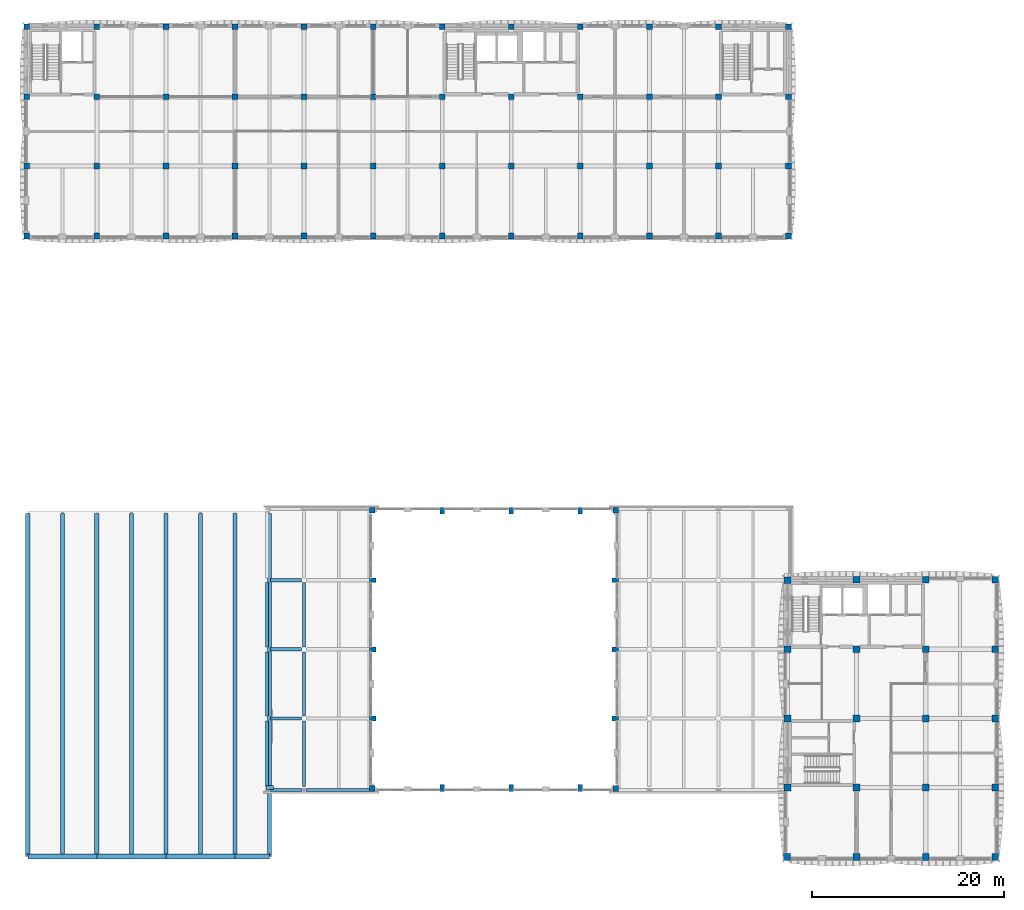
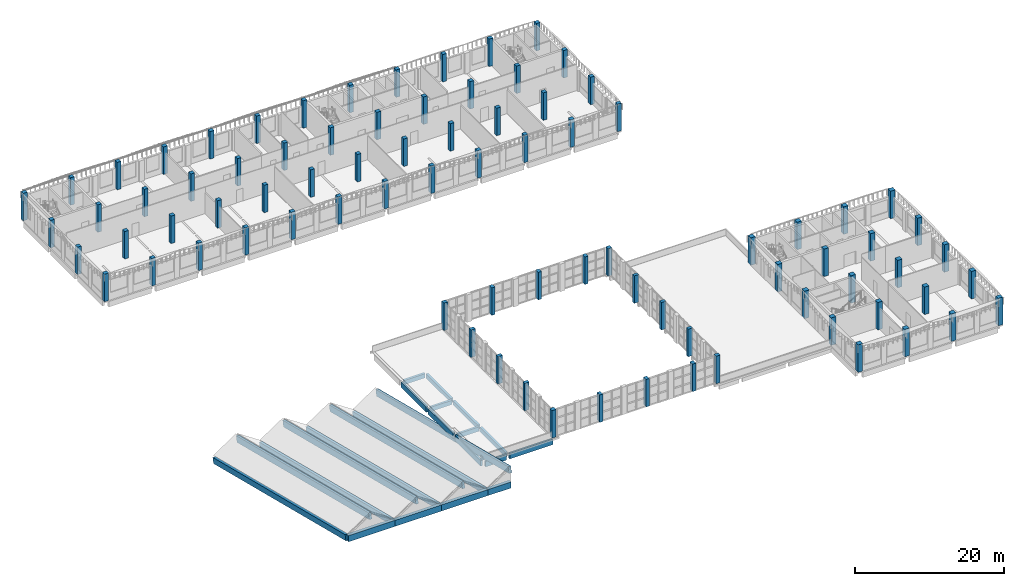
# One storey, part 1 of 44: 85 columns, 23 beams.
"""IFC4 building model written with IfcOpenShell, lengths in metres."""

import ifcopenshell
import ifcopenshell.guid

model = None  # the IFC model being written
_history = None  # IfcOwnerHistory: only IFC2X3 demands one
_inside = {}  # id of a spatial element -> (the spatial element, [elements in it])
_under = {}  # id of a project, library or spatial element -> (it, [spatial elements below it])
_declared = {}  # id of a project -> (the project, [libraries it declares])
_typed = {}  # id of a type object -> (the type object, [elements of that type])
_made_of = {}  # id of a material, layer set ... -> (it, [elements and type objects made of it])


def new_model(schema):
    """Start an empty IFC model of exactly this schema.

    Asked for "IFC4X3", IfcOpenShell would pick the latest addendum, in which some entities
    have other attributes; the version numbers below select the first issue.
    IFC2X3 requires an IfcOwnerHistory on every rooted entity: one is made here for all.
    """
    global model, _history
    if schema == "IFC4X3":
        model = ifcopenshell.file(schema_version=(4, 3, 0, 0))
    else:
        model = ifcopenshell.file(schema=schema)
    _inside.clear()
    _under.clear()
    _declared.clear()
    _typed.clear()
    _made_of.clear()
    _history = None
    if model.schema == "IFC2X3":
        org = make("IfcOrganization", Name="unknown")
        user = make(
            "IfcPersonAndOrganization",
            ThePerson=make("IfcPerson", FamilyName="unknown"),
            TheOrganization=org,
        )
        app = make(
            "IfcApplication",
            ApplicationDeveloper=org,
            Version="unknown",
            ApplicationFullName="unknown",
            ApplicationIdentifier="unknown",
        )
        _history = make(
            "IfcOwnerHistory",
            OwningUser=user,
            OwningApplication=app,
            ChangeAction="ADDED",
            CreationDate=0,
        )
    return model


def make(cls, **values):
    """One entity of the class cls with the attributes given. An attribute that is None is left unset."""
    return model.create_entity(
        cls, **{name: value for name, value in values.items() if value is not None}
    )


def rooted(cls, **values):
    """An entity with a GlobalId (a new one), such as an element, a storey or a relation."""
    return make(cls, GlobalId=ifcopenshell.guid.new(), OwnerHistory=_history, **values)


def si_unit(unit_type, name, prefix=None):
    """IfcSIUnit, for example si_unit("LENGTHUNIT", "METRE", prefix="MILLI")."""
    return make("IfcSIUnit", UnitType=unit_type, Prefix=prefix, Name=name)


def assignment(units):
    """IfcUnitAssignment: the units of a project."""
    return None if units is None else make("IfcUnitAssignment", Units=units)


def point(xyz):
    """IfcCartesianPoint."""
    return None if xyz is None else make("IfcCartesianPoint", Coordinates=xyz)


def direction(xyz):
    """IfcDirection."""
    return None if xyz is None else make("IfcDirection", DirectionRatios=xyz)


def frame(location, z_axis=None, x_axis=None):
    """IfcAxis2Placement3D, a coordinate frame: its origin and axes. An axis left out is left unset."""
    return make(
        "IfcAxis2Placement3D",
        Location=point(location),
        Axis=direction(z_axis),
        RefDirection=direction(x_axis),
    )


def frame_2d(location, x_axis=None):
    """IfcAxis2Placement2D, a coordinate frame in the plane: its origin and x axis."""
    return make(
        "IfcAxis2Placement2D", Location=point(location), RefDirection=direction(x_axis)
    )


def origin():
    """The frame at (0, 0, 0) with its axes left unset."""
    return frame((0.0, 0.0, 0.0))


def origin_2d():
    """The frame at (0, 0) in the plane with its x axis left unset."""
    return frame_2d((0.0, 0.0))


def place(relative_to, where):
    """IfcLocalPlacement: puts the frame where relative to a parent placement (None: the world)."""
    return make(
        "IfcLocalPlacement", PlacementRelTo=relative_to, RelativePlacement=where
    )


def context(
    kind, dimensions, precision=None, world=None, true_north=None, identifier=None
):
    """IfcGeometricRepresentationContext, for example the 3D "Model" context."""
    return make(
        "IfcGeometricRepresentationContext",
        ContextIdentifier=identifier,
        ContextType=kind,
        CoordinateSpaceDimension=dimensions,
        Precision=precision,
        WorldCoordinateSystem=world,
        TrueNorth=true_north,
    )


def subcontext(parent, identifier, kind, view, scale=None):
    """IfcGeometricRepresentationSubContext, for example "Body" below "Model"."""
    return make(
        "IfcGeometricRepresentationSubContext",
        ContextIdentifier=identifier,
        ContextType=kind,
        ParentContext=parent,
        TargetScale=scale,
        TargetView=view,
    )


def project(units=None, contexts=None):
    """IfcProject with its units and contexts."""
    return rooted(
        "IfcProject",
        Name="project",
        RepresentationContexts=contexts,
        UnitsInContext=assignment(units),
    )


def spatial(cls, under=None, at=None, **own):
    """A site, building, storey or space (cls), placed at a placement, below another one or the project."""
    s = rooted(cls, ObjectPlacement=at, **own)
    if under is not None:
        _under.setdefault(under.id(), (under, []))[1].append(s)
    return s


def profile(cls, at=None, kind="AREA", **sizes):
    """A parametric profile (cls). Its sizes go by their IFC names, for example OverallWidth=200.0."""
    return make(cls, ProfileType=kind, Position=at, **sizes)


def rectangle(**sizes):
    """IfcRectangleProfileDef."""
    return profile("IfcRectangleProfileDef", **sizes)


def extrude(swept, where, along, depth):
    """IfcExtrudedAreaSolid: the profile swept, set in the frame where, extruded along a direction by depth."""
    return make(
        "IfcExtrudedAreaSolid",
        SweptArea=swept,
        Position=where,
        ExtrudedDirection=direction(along),
        Depth=depth,
    )


def shape(context_of_items, identifier, shape_type, items):
    """IfcShapeRepresentation: the items that make up one representation, for example the "Body"."""
    return make(
        "IfcShapeRepresentation",
        ContextOfItems=context_of_items,
        RepresentationIdentifier=identifier,
        RepresentationType=shape_type,
        Items=items,
    )


def material(Name=None, Category=None):
    """IfcMaterial."""
    return make("IfcMaterial", Name=Name, Category=Category)


def material_profile(
    of_material, cross_section, Name=None, Category=None, Priority=None
):
    """IfcMaterialProfile: a cross section and its material."""
    return make(
        "IfcMaterialProfile",
        Name=Name,
        Material=of_material,
        Profile=cross_section,
        Priority=Priority,
        Category=Category,
    )


def profile_set(profiles, Name=None, composite=None):
    """IfcMaterialProfileSet."""
    return make(
        "IfcMaterialProfileSet",
        Name=Name,
        MaterialProfiles=profiles,
        CompositeProfile=composite,
    )


def made_of(thing, what):
    """Note that an element or type object is made of a material, layer set ...; save() writes the relation."""
    if what is not None:
        _made_of.setdefault(what.id(), (what, []))[1].append(thing)
    return thing


def type_object(cls, material=None, **own):
    """A type object (cls), such as IfcWallType, which elements share."""
    return made_of(rooted(cls, **own), material)


def element(
    cls,
    number,
    at=None,
    inside=None,
    cuts=None,
    type_object=None,
    material=None,
    context=None,
    identifier="Body",
    shape_type=None,
    held_by="IfcProductDefinitionShape",
    body=None,
    shapes=None,
    **own,
):
    """One element of the class cls, such as IfcWall. Its Tag is "e" and its number.

    at: its placement. inside: the storey or other place that contains it. cuts: it is an
    opening in that element (IfcRelVoidsElement). A single representation is given by context,
    identifier, shape_type and body (its items); several are given by shapes. held_by: the class
    of the entity that holds the representations. save() writes the other relations.
    """
    e = rooted(cls, Tag="e%d" % number, ObjectPlacement=at, **own)
    if body is not None:
        shapes = [shape(context, identifier, shape_type, body)]
    if shapes is not None:
        e.Representation = make(held_by, Representations=shapes)
    if inside is not None:
        _inside.setdefault(inside.id(), (inside, []))[1].append(e)
    if cuts is not None:
        rooted(
            "IfcRelVoidsElement", RelatingBuildingElement=cuts, RelatedOpeningElement=e
        )
    if type_object is not None:
        _typed.setdefault(type_object.id(), (type_object, []))[1].append(e)
    return made_of(e, material)


def aggregate(whole, parts):
    """IfcRelAggregates: a whole, such as a stair, and the parts it consists of."""
    return rooted("IfcRelAggregates", RelatingObject=whole, RelatedObjects=parts)


def save(model, path):
    """Write the relations noted so far, then the file.

    IfcRelAggregates (storeys below a building ...), IfcRelContainedInSpatialStructure (elements
    in a storey), IfcRelDefinesByType, IfcRelAssociatesMaterial and IfcRelDeclares: one each for
    every whole, place, type object, material and project.
    """
    for whole, parts in _under.values():
        aggregate(whole, parts)
    for where, things in _inside.values():
        rooted(
            "IfcRelContainedInSpatialStructure",
            RelatedElements=things,
            RelatingStructure=where,
        )
    for kind, things in _typed.values():
        rooted("IfcRelDefinesByType", RelatedObjects=things, RelatingType=kind)
    for what, things in _made_of.values():
        rooted("IfcRelAssociatesMaterial", RelatedObjects=things, RelatingMaterial=what)
    for by, libraries in _declared.values():
        rooted("IfcRelDeclares", RelatingContext=by, RelatedDefinitions=libraries)
    model.write(path)


model = new_model("IFC4")

# Units and contexts
model_context = context("Model", 3, precision=1e-05, world=origin(), true_north=direction((0.0, 1.0)))
body_context = subcontext(model_context, "Body", "Model", "MODEL_VIEW")
ifc_project = project(units=[si_unit("LENGTHUNIT", "METRE"), si_unit("AREAUNIT", "SQUARE_METRE"), si_unit("VOLUMEUNIT", "CUBIC_METRE"), si_unit("PLANEANGLEUNIT", "RADIAN"), si_unit("MASSUNIT", "GRAM", prefix="KILO")], contexts=[model_context])

# Site, building, storey
site_placement = place(None, origin())
site = spatial("IfcSite", under=ifc_project, at=site_placement, CompositionType="ELEMENT")
building_placement = place(site_placement, origin())
building = spatial("IfcBuilding", under=site, at=building_placement, Name="Ussher Court Research Institute", CompositionType="ELEMENT")
storey_placement = place(building_placement, frame((0.0, 0.0, 18.89990234375)))
storey = spatial("IfcBuildingStorey", under=building, at=storey_placement, Name="L04", CompositionType="ELEMENT", Elevation=18.89990234375)

# Columns
ifc_material_1 = material(Name="Concrete C35/45", Category="concrete")
ifc_material_profile_1 = material_profile(ifc_material_1, rectangle(XDim=0.5, YDim=0.699951171875, at=origin_2d()), Name="RC 500x700")
ifc_profile_set_1 = profile_set([ifc_material_profile_1], Name="Concrete C35/45")
column_type_1 = type_object("IfcColumnType", Name="RC 500x700 column", PredefinedType="COLUMN", material=ifc_profile_set_1)
for number, where, z_axis, x_axis, name in (
    (1, (46.199951171875, 11.14990234375, 0.0), (0.0, 0.0, 1.0), (1.0, 0.0, 0.0), "CF2 V2 L04-01"),
    (2, (46.199951171875, 40.050048828125, 0.0), (0.0, 0.0, 1.0), (1.0, 0.0, 0.0), "CF2 V2 L04-02"),
    (3, (53.39990234375, 11.14990234375, 0.0), (0.0, 0.0, 1.0), (1.0, 0.0, 0.0), "CF2 V2 L04-03"),
    (4, (53.39990234375, 40.050048828125, 0.0), (0.0, 0.0, 1.0), (1.0, 0.0, 0.0), "CF2 V2 L04-04"),
    (5, (60.60009765625, 11.14990234375, 0.0), (0.0, 0.0, 1.0), (1.0, 0.0, 0.0), "CF2 V2 L04-05"),
    (6, (60.60009765625, 40.050048828125, 0.0), (0.0, 0.0, 1.0), (1.0, 0.0, 0.0), "CF2 V2 L04-06"),
):
    element("IfcColumn", number, at=place(storey_placement, frame(where, z_axis=z_axis, x_axis=x_axis)), inside=storey, type_object=column_type_1, Name=name, PredefinedType="COLUMN", context=body_context, shape_type="SweptSolid", body=[
        extrude(rectangle(XDim=0.5, YDim=0.699951171875, at=origin_2d()), origin(), (0.0, 0.0, 1.0), 4.5),
    ])
ifc_material_2 = material(Name="Concrete C35/45", Category="concrete")
ifc_material_profile_2 = material_profile(ifc_material_2, rectangle(XDim=0.60009765625, YDim=0.60009765625, at=origin_2d()), Name="RC 600x600")
ifc_profile_set_2 = profile_set([ifc_material_profile_2], Name="Concrete C35/45")
column_type_2 = type_object("IfcColumnType", Name="RC 600x600 column", PredefinedType="COLUMN", material=ifc_profile_set_2)
for number, where, z_axis, x_axis, name in (
    (7, (2.89990234375, 68.699951171875, 0.0), (0.0, 0.0, 1.0), (1.0, 0.0, 0.0), "C6 V5 L04-01"),
    (8, (2.89990234375, 76.0, 0.0), (0.0, 0.0, 1.0), (1.0, 0.0, 0.0), "C6 V5 L04-02"),
    (9, (2.89990234375, 83.199951171875, 0.0), (0.0, 0.0, 1.0), (1.0, 0.0, 0.0), "C6 V5 L04-03"),
    (10, (2.89990234375, 90.5, 0.0), (0.0, 0.0, 1.0), (1.0, 0.0, 0.0), "C6 V5 L04-04"),
    (11, (10.199951171875, 68.699951171875, 0.0), (0.0, 0.0, 1.0), (1.0, 0.0, 0.0), "C6 V5 L04-05"),
    (12, (10.199951171875, 76.0, 0.0), (0.0, 0.0, 1.0), (1.0, 0.0, 0.0), "C6 V5 L04-06"),
    (13, (10.199951171875, 83.199951171875, 0.0), (0.0, 0.0, 1.0), (1.0, 0.0, 0.0), "C6 V5 L04-07"),
    (14, (10.199951171875, 90.5, 0.0), (0.0, 0.0, 1.0), (1.0, 0.0, 0.0), "C6 V5 L04-08"),
    (15, (17.39990234375, 68.699951171875, 0.0), (0.0, 0.0, 1.0), (1.0, 0.0, 0.0), "C6 V5 L04-09"),
    (16, (17.39990234375, 76.0, 0.0), (0.0, 0.0, 1.0), (1.0, 0.0, 0.0), "C6 V5 L04-10"),
    (17, (17.39990234375, 83.199951171875, 0.0), (0.0, 0.0, 1.0), (1.0, 0.0, 0.0), "C6 V5 L04-11"),
    (18, (17.39990234375, 90.5, 0.0), (0.0, 0.0, 1.0), (1.0, 0.0, 0.0), "C6 V5 L04-12"),
    (19, (24.60009765625, 68.699951171875, 0.0), (0.0, 0.0, 1.0), (1.0, 0.0, 0.0), "C6 V5 L04-13"),
    (20, (24.60009765625, 76.0, 0.0), (0.0, 0.0, 1.0), (1.0, 0.0, 0.0), "C6 V5 L04-14"),
    (21, (24.60009765625, 83.199951171875, 0.0), (0.0, 0.0, 1.0), (1.0, 0.0, 0.0), "C6 V5 L04-15"),
    (22, (24.60009765625, 90.5, 0.0), (0.0, 0.0, 1.0), (1.0, 0.0, 0.0), "C6 V5 L04-16"),
    (23, (31.800048828125, 68.699951171875, 0.0), (0.0, 0.0, 1.0), (1.0, 0.0, 0.0), "C6 V5 L04-17"),
    (24, (31.800048828125, 76.0, 0.0), (0.0, 0.0, 1.0), (1.0, 0.0, 0.0), "C6 V5 L04-18"),
    (25, (31.800048828125, 83.199951171875, 0.0), (0.0, 0.0, 1.0), (1.0, 0.0, 0.0), "C6 V5 L04-19"),
    (26, (31.800048828125, 90.5, 0.0), (0.0, 0.0, 1.0), (1.0, 0.0, 0.0), "C6 V5 L04-20"),
    (27, (39.0, 68.699951171875, 0.0), (0.0, 0.0, 1.0), (1.0, 0.0, 0.0), "C6 V5 L04-21"),
    (28, (39.0, 76.0, 0.0), (0.0, 0.0, 1.0), (1.0, 0.0, 0.0), "C6 V5 L04-22"),
    (29, (39.0, 83.199951171875, 0.0), (0.0, 0.0, 1.0), (1.0, 0.0, 0.0), "C6 V5 L04-23"),
    (30, (39.0, 90.5, 0.0), (0.0, 0.0, 1.0), (1.0, 0.0, 0.0), "C6 V5 L04-24"),
    (31, (46.199951171875, 68.699951171875, 0.0), (0.0, 0.0, 1.0), (1.0, 0.0, 0.0), "C6 V5 L04-25"),
    (32, (46.199951171875, 76.0, 0.0), (0.0, 0.0, 1.0), (1.0, 0.0, 0.0), "C6 V5 L04-26"),
    (33, (46.199951171875, 83.199951171875, 0.0), (0.0, 0.0, 1.0), (1.0, 0.0, 0.0), "C6 V5 L04-27"),
    (34, (46.199951171875, 90.5, 0.0), (0.0, 0.0, 1.0), (1.0, 0.0, 0.0), "C6 V5 L04-28"),
    (35, (53.39990234375, 68.699951171875, 0.0), (0.0, 0.0, 1.0), (1.0, 0.0, 0.0), "C6 V5 L04-29"),
    (36, (53.39990234375, 76.0, 0.0), (0.0, 0.0, 1.0), (1.0, 0.0, 0.0), "C6 V5 L04-30"),
    (37, (53.39990234375, 83.199951171875, 0.0), (0.0, 0.0, 1.0), (1.0, 0.0, 0.0), "C6 V5 L04-31"),
    (38, (53.39990234375, 90.5, 0.0), (0.0, 0.0, 1.0), (1.0, 0.0, 0.0), "C6 V5 L04-32"),
    (39, (60.60009765625, 68.699951171875, 0.0), (0.0, 0.0, 1.0), (1.0, 0.0, 0.0), "C6 V5 L04-33"),
    (40, (60.60009765625, 76.0, 0.0), (0.0, 0.0, 1.0), (1.0, 0.0, 0.0), "C6 V5 L04-34"),
    (41, (60.60009765625, 83.199951171875, 0.0), (0.0, 0.0, 1.0), (1.0, 0.0, 0.0), "C6 V5 L04-35"),
    (42, (60.60009765625, 90.5, 0.0), (0.0, 0.0, 1.0), (1.0, 0.0, 0.0), "C6 V5 L04-36"),
    (43, (67.800048828125, 68.699951171875, 0.0), (0.0, 0.0, 1.0), (1.0, 0.0, 0.0), "C6 V5 L04-37"),
    (44, (67.800048828125, 76.0, 0.0), (0.0, 0.0, 1.0), (1.0, 0.0, 0.0), "C6 V5 L04-38"),
    (45, (67.800048828125, 83.199951171875, 0.0), (0.0, 0.0, 1.0), (1.0, 0.0, 0.0), "C6 V5 L04-39"),
    (46, (67.800048828125, 90.5, 0.0), (0.0, 0.0, 1.0), (1.0, 0.0, 0.0), "C6 V5 L04-40"),
    (47, (75.0, 68.699951171875, 0.0), (0.0, 0.0, 1.0), (1.0, 0.0, 0.0), "C6 V5 L04-41"),
    (48, (75.0, 76.0, 0.0), (0.0, 0.0, 1.0), (1.0, 0.0, 0.0), "C6 V5 L04-42"),
    (49, (75.0, 83.199951171875, 0.0), (0.0, 0.0, 1.0), (1.0, 0.0, 0.0), "C6 V5 L04-43"),
    (50, (75.0, 90.5, 0.0), (0.0, 0.0, 1.0), (1.0, 0.0, 0.0), "C6 V5 L04-44"),
    (51, (82.300048828125, 68.699951171875, 0.0), (0.0, 0.0, 1.0), (1.0, 0.0, 0.0), "C6 V5 L04-45"),
    (52, (82.300048828125, 76.0, 0.0), (0.0, 0.0, 1.0), (1.0, 0.0, 0.0), "C6 V5 L04-46"),
    (53, (82.300048828125, 83.199951171875, 0.0), (0.0, 0.0, 1.0), (1.0, 0.0, 0.0), "C6 V5 L04-47"),
    (54, (82.300048828125, 90.5, 0.0), (0.0, 0.0, 1.0), (1.0, 0.0, 0.0), "C6 V5 L04-48"),
    (55, (38.89990234375, 11.10009765625, 0.0), (0.0, 0.0, 1.0), (1.0, 0.0, 0.0), "C6 V2 L04-01"),
    (56, (38.89990234375, 40.10009765625, 0.0), (0.0, 0.0, 1.0), (1.0, 0.0, 0.0), "C6 V2 L04-02"),
    (57, (64.300048828125, 11.10009765625, 0.0), (0.0, 0.0, 1.0), (1.0, 0.0, 0.0), "C6 V2 L04-03"),
    (58, (64.300048828125, 40.10009765625, 0.0), (0.0, 0.0, 1.0), (1.0, 0.0, 0.0), "C6 V2 L04-04"),
):
    element("IfcColumn", number, at=place(storey_placement, frame(where, z_axis=z_axis, x_axis=x_axis)), inside=storey, type_object=column_type_2, Name=name, PredefinedType="COLUMN", context=body_context, shape_type="SweptSolid", body=[
        extrude(rectangle(XDim=0.60009765625, YDim=0.60009765625, at=origin_2d()), origin(), (0.0, 0.0, 1.0), 4.5),
    ])
ifc_material_3 = material(Name="Concrete C35/45", Category="concrete")
ifc_material_profile_3 = material_profile(ifc_material_3, rectangle(XDim=0.699951171875, YDim=0.5, at=origin_2d()), Name="RC 700x500")
ifc_profile_set_3 = profile_set([ifc_material_profile_3], Name="Concrete C35/45")
column_type_3 = type_object("IfcColumnType", Name="RC 700x500 column", PredefinedType="COLUMN", material=ifc_profile_set_3)
for number, where, z_axis, x_axis, name in (
    (59, (38.949951171875, 18.39990234375, 0.0), (0.0, 0.0, 1.0), (1.0, 0.0, 0.0), "CF3 V2 L04-01"),
    (60, (38.949951171875, 25.60009765625, 0.0), (0.0, 0.0, 1.0), (1.0, 0.0, 0.0), "CF3 V2 L04-02"),
    (61, (38.949951171875, 32.800048828125, 0.0), (0.0, 0.0, 1.0), (1.0, 0.0, 0.0), "CF3 V2 L04-03"),
    (62, (64.25, 18.39990234375, 0.0), (0.0, 0.0, 1.0), (1.0, 0.0, 0.0), "CF3 V2 L04-04"),
    (63, (64.25, 25.60009765625, 0.0), (0.0, 0.0, 1.0), (1.0, 0.0, 0.0), "CF3 V2 L04-05"),
    (64, (64.25, 32.800048828125, 0.0), (0.0, 0.0, 1.0), (1.0, 0.0, 0.0), "CF3 V2 L04-06"),
):
    element("IfcColumn", number, at=place(storey_placement, frame(where, z_axis=z_axis, x_axis=x_axis)), inside=storey, type_object=column_type_3, Name=name, PredefinedType="COLUMN", context=body_context, shape_type="SweptSolid", body=[
        extrude(rectangle(XDim=0.699951171875, YDim=0.5, at=origin_2d()), origin(), (0.0, 0.0, 1.0), 4.5),
    ])
ifc_material_4 = material(Name="Concrete C35/45", Category="concrete")
ifc_material_profile_4 = material_profile(ifc_material_4, rectangle(XDim=0.699951171875, YDim=0.699951171875, at=origin_2d()), Name="RC 700x700")
ifc_profile_set_4 = profile_set([ifc_material_profile_4], Name="Concrete C35/45")
column_type_4 = type_object("IfcColumnType", Name="RC 700x700 column", PredefinedType="COLUMN", material=ifc_profile_set_4)
for number, where, z_axis, x_axis, name in (
    (65, (82.14990234375, 3.949951171875, 0.0), (0.0, 0.0, 1.0), (1.0, 0.0, 0.0), "C7 V4 L04-01"),
    (66, (82.199951171875, 11.199951171875, 0.0), (0.0, 0.0, 1.0), (1.0, 0.0, 0.0), "C7 V4 L04-02"),
    (67, (82.199951171875, 18.39990234375, 0.0), (0.0, 0.0, 1.0), (1.0, 0.0, 0.0), "C7 V4 L04-03"),
    (68, (82.199951171875, 25.60009765625, 0.0), (0.0, 0.0, 1.0), (1.0, 0.0, 0.0), "C7 V4 L04-04"),
    (69, (82.199951171875, 32.800048828125, 0.0), (0.0, 0.0, 1.0), (1.0, 0.0, 0.0), "C7 V4 L04-05"),
    (70, (89.39990234375, 3.949951171875, 0.0), (0.0, 0.0, 1.0), (1.0, 0.0, 0.0), "C7 V4 L04-06"),
    (71, (89.39990234375, 11.199951171875, 0.0), (0.0, 0.0, 1.0), (1.0, 0.0, 0.0), "C7 V4 L04-07"),
    (72, (89.39990234375, 18.39990234375, 0.0), (0.0, 0.0, 1.0), (1.0, 0.0, 0.0), "C7 V4 L04-08"),
    (73, (89.39990234375, 25.60009765625, 0.0), (0.0, 0.0, 1.0), (1.0, 0.0, 0.0), "C7 V4 L04-09"),
    (74, (89.39990234375, 32.85009765625, 0.0), (0.0, 0.0, 1.0), (1.0, 0.0, 0.0), "C7 V4 L04-10"),
    (75, (96.60009765625, 3.949951171875, 0.0), (0.0, 0.0, 1.0), (1.0, 0.0, 0.0), "C7 V4 L04-11"),
    (76, (96.60009765625, 11.199951171875, 0.0), (0.0, 0.0, 1.0), (1.0, 0.0, 0.0), "C7 V4 L04-12"),
    (77, (96.60009765625, 18.39990234375, 0.0), (0.0, 0.0, 1.0), (1.0, 0.0, 0.0), "C7 V4 L04-13"),
    (78, (96.60009765625, 25.60009765625, 0.0), (0.0, 0.0, 1.0), (1.0, 0.0, 0.0), "C7 V4 L04-14"),
    (79, (96.60009765625, 32.85009765625, 0.0), (0.0, 0.0, 1.0), (1.0, 0.0, 0.0), "C7 V4 L04-15"),
    (80, (103.85009765625, 3.949951171875, 0.0), (0.0, 0.0, 1.0), (1.0, 0.0, 0.0), "C7 V4 L04-16"),
    (81, (103.85009765625, 11.199951171875, 0.0), (0.0, 0.0, 1.0), (1.0, 0.0, 0.0), "C7 V4 L04-17"),
    (82, (103.85009765625, 18.39990234375, 0.0), (0.0, 0.0, 1.0), (1.0, 0.0, 0.0), "C7 V4 L04-18"),
    (83, (103.85009765625, 25.60009765625, 0.0), (0.0, 0.0, 1.0), (1.0, 0.0, 0.0), "C7 V4 L04-19"),
    (84, (103.85009765625, 32.85009765625, 0.0), (0.0, 0.0, 1.0), (1.0, 0.0, 0.0), "C7 V4 L04-20"),
):
    element("IfcColumn", number, at=place(storey_placement, frame(where, z_axis=z_axis, x_axis=x_axis)), inside=storey, type_object=column_type_4, Name=name, PredefinedType="COLUMN", context=body_context, shape_type="SweptSolid", body=[
        extrude(rectangle(XDim=0.699951171875, YDim=0.699951171875, at=origin_2d()), origin(), (0.0, 0.0, 1.0), 4.5),
    ])
ifc_material_5 = material(Name="Concrete C35/45", Category="concrete")
ifc_material_profile_5 = material_profile(ifc_material_5, rectangle(XDim=0.75, YDim=0.449951171875, at=origin_2d()), Name="RC 750x450")
ifc_profile_set_5 = profile_set([ifc_material_profile_5], Name="Concrete C35/45")
column_type_5 = type_object("IfcColumnType", Name="RC 750x450 column", PredefinedType="COLUMN", material=ifc_profile_set_5)
column_placement = place(storey_placement, frame((28.22509765625, 11.199951171875, 0.0), z_axis=(0.0, 0.0, 1.0), x_axis=(1.0, 0.0, 0.0)))
element("IfcColumn", 85, at=column_placement, inside=storey, type_object=column_type_5, Name="CF4 V1 L04-01", PredefinedType="COLUMN", context=body_context, shape_type="SweptSolid", body=[
    extrude(rectangle(XDim=0.75, YDim=0.449951171875, at=origin_2d()), origin(), (0.0, 0.0, 1.0), 0.59033203125),
])

# Beams
ifc_material_6 = material(Name="Concrete C35/45", Category="concrete")
ifc_material_profile_6 = material_profile(ifc_material_6, rectangle(XDim=0.300048828125, YDim=0.89990234375, at=origin_2d()), Name="RC 300x900")
ifc_profile_set_6 = profile_set([ifc_material_profile_6], Name="Concrete C35/45")
beam_type_1 = type_object("IfcBeamType", Name="RC 300x900 beam", PredefinedType="BEAM", material=ifc_profile_set_6)
beam_1_placement = place(storey_placement, frame((28.300048828125, 10.949951171875, -0.64990234375), z_axis=(1.0, 0.0, 0.0), x_axis=(0.0, 1.0, 0.0)))
element("IfcBeam", 86, at=beam_1_placement, inside=storey, type_object=beam_type_1, Name="SB2 V7 L04-01", PredefinedType="BEAM", context=body_context, shape_type="SweptSolid", body=[
    extrude(rectangle(XDim=0.300048828125, YDim=0.89990234375, at=origin_2d()), origin(), (0.0, 0.0, 1.0), 3.25),
])
beam_2_placement = place(storey_placement, frame((32.050048828125, 10.949951171875, -0.64990234375), z_axis=(1.0, 0.0, 0.0), x_axis=(0.0, 1.0, 0.0)))
element("IfcBeam", 87, at=beam_2_placement, inside=storey, type_object=beam_type_1, Name="SB2 V7 L04-02", PredefinedType="BEAM", context=body_context, shape_type="SweptSolid", body=[
    extrude(rectangle(XDim=0.300048828125, YDim=0.89990234375, at=origin_2d()), origin(), (0.0, 0.0, 1.0), 6.64990234375),
])
beam_3_placement = place(storey_placement, frame((27.949951171875, 11.300048828125, -0.64990234375), z_axis=(0.0, 1.0, 0.0), x_axis=(-1.0, 0.0, 0.0)))
element("IfcBeam", 88, at=beam_3_placement, inside=storey, type_object=beam_type_1, Name="SB2 V7 L04-11", PredefinedType="BEAM", context=body_context, shape_type="SweptSolid", body=[
    extrude(rectangle(XDim=0.300048828125, YDim=0.89990234375, at=origin_2d()), origin(), (0.0, 0.0, 1.0), 6.849853515625),
])
beam_4_placement = place(storey_placement, frame((27.949951171875, 18.64990234375, -0.64990234375), z_axis=(0.0, 1.0, 0.0), x_axis=(-1.0, 0.0, 0.0)))
element("IfcBeam", 89, at=beam_4_placement, inside=storey, type_object=beam_type_1, Name="SB2 V7 L04-12", PredefinedType="BEAM", context=body_context, shape_type="SweptSolid", body=[
    extrude(rectangle(XDim=0.300048828125, YDim=0.89990234375, at=origin_2d()), origin(), (0.0, 0.0, 1.0), 6.7001953125),
])
beam_5_placement = place(storey_placement, frame((27.949951171875, 25.85009765625, -0.64990234375), z_axis=(0.0, 1.0, 0.0), x_axis=(-1.0, 0.0, 0.0)))
element("IfcBeam", 90, at=beam_5_placement, inside=storey, type_object=beam_type_1, Name="SB2 V7 L04-13", PredefinedType="BEAM", context=body_context, shape_type="SweptSolid", body=[
    extrude(rectangle(XDim=0.300048828125, YDim=0.89990234375, at=origin_2d()), origin(), (0.0, 0.0, 1.0), 6.699951171875),
])
ifc_material_7 = material(Name="Concrete C35/45", Category="concrete")
ifc_material_profile_7 = material_profile(ifc_material_7, rectangle(XDim=0.35009765625, YDim=0.699951171875, at=origin_2d()), Name="RC 350x700")
ifc_profile_set_7 = profile_set([ifc_material_profile_7], Name="Concrete C35/45")
beam_type_2 = type_object("IfcBeamType", Name="RC 350x700 beam", PredefinedType="BEAM", material=ifc_profile_set_7)
for number, where, z_axis, x_axis, name in (
    (91, (28.300048828125, 18.39990234375, -0.5498046875), (1.0, 0.0, 0.0), (0.0, 1.0, 0.0), "B16 V7 L04-01"),
    (92, (28.300048828125, 25.60009765625, -0.5498046875), (1.0, 0.0, 0.0), (0.0, 1.0, 0.0), "B16 V7 L04-06"),
    (93, (28.300048828125, 32.800048828125, -0.5498046875), (1.0, 0.0, 0.0), (0.0, 1.0, 0.0), "B16 V7 L04-11"),
):
    element("IfcBeam", number, at=place(storey_placement, frame(where, z_axis=z_axis, x_axis=x_axis)), inside=storey, type_object=beam_type_2, Name=name, PredefinedType="BEAM", context=body_context, shape_type="SweptSolid", body=[
        extrude(rectangle(XDim=0.35009765625, YDim=0.699951171875, at=origin_2d()), origin(), (0.0, 0.0, 1.0), 3.25),
    ])
beam_6_placement = place(storey_placement, frame((31.800048828125, 11.300048828125, -0.5498046875), z_axis=(0.0, 1.0, 0.0), x_axis=(-1.0, 0.0, 0.0)))
element("IfcBeam", 94, at=beam_6_placement, inside=storey, type_object=beam_type_2, Name="B16 V7 L04-16", PredefinedType="BEAM", context=body_context, shape_type="SweptSolid", body=[
    extrude(rectangle(XDim=0.35009765625, YDim=0.699951171875, at=origin_2d()), origin(), (0.0, 0.0, 1.0), 6.849853515625),
])
beam_7_placement = place(storey_placement, frame((31.800048828125, 18.64990234375, -0.5498046875), z_axis=(0.0, 1.0, 0.0), x_axis=(-1.0, 0.0, 0.0)))
element("IfcBeam", 95, at=beam_7_placement, inside=storey, type_object=beam_type_2, Name="B16 V7 L04-17", PredefinedType="BEAM", context=body_context, shape_type="SweptSolid", body=[
    extrude(rectangle(XDim=0.35009765625, YDim=0.699951171875, at=origin_2d()), origin(), (0.0, 0.0, 1.0), 6.7001953125),
])
beam_8_placement = place(storey_placement, frame((31.800048828125, 25.85009765625, -0.5498046875), z_axis=(0.0, 1.0, 0.0), x_axis=(-1.0, 0.0, 0.0)))
element("IfcBeam", 96, at=beam_8_placement, inside=storey, type_object=beam_type_2, Name="B16 V7 L04-18", PredefinedType="BEAM", context=body_context, shape_type="SweptSolid", body=[
    extrude(rectangle(XDim=0.35009765625, YDim=0.699951171875, at=origin_2d()), origin(), (0.0, 0.0, 1.0), 6.699951171875),
])
ifc_material_8 = material(Name="Concrete C35/45", Category="concrete")
ifc_material_profile_8 = material_profile(ifc_material_8, rectangle(XDim=0.39990234375, YDim=1.0, at=origin_2d()), Name="RC 400x1000")
ifc_profile_set_8 = profile_set([ifc_material_profile_8], Name="Concrete C35/45")
beam_type_3 = type_object("IfcBeamType", Name="RC 400x1000 beam", PredefinedType="BEAM", material=ifc_profile_set_8)
for number, where, z_axis, x_axis, name in (
    (97, (6.60009765625, 4.128662109375, 2.5361328125), (0.0, 0.970142500145, -0.242535625036), (-1.0, 0.0, 0.0), "B9 V1 L04-01"),
    (98, (13.800048828125, 4.128662109375, 2.5361328125), (0.0, 0.970142500145, -0.242535625036), (-1.0, 0.0, 0.0), "B9 V1 L04-02"),
    (99, (21.0, 4.128662109375, 2.5361328125), (0.0, 0.970142500145, -0.242535625036), (-1.0, 0.0, 0.0), "B9 V1 L04-03"),
    (100, (28.199951171875, 4.128662109375, 2.5361328125), (0.0, 0.970142500145, -0.242535625036), (-1.0, 0.0, 0.0), "B9 V1 L04-04"),
):
    element("IfcBeam", number, at=place(storey_placement, frame(where, z_axis=z_axis, x_axis=x_axis)), inside=storey, type_object=beam_type_3, Name=name, PredefinedType="BEAM", context=body_context, shape_type="SweptSolid", body=[
        extrude(rectangle(XDim=0.39990234375, YDim=1.0, at=origin_2d()), origin(), (0.0, 0.0, 1.0), 36.592529296875),
    ])
ifc_material_9 = material(Name="Concrete C35/45", Category="concrete")
ifc_material_profile_9 = material_profile(ifc_material_9, rectangle(XDim=0.449951171875, YDim=0.89990234375, at=origin_2d()), Name="RC 450x900")
ifc_profile_set_9 = profile_set([ifc_material_profile_9], Name="Concrete C35/45")
beam_type_4 = type_object("IfcBeamType", Name="RC 450x900 beam", PredefinedType="BEAM", material=ifc_profile_set_9)
for number, where, z_axis, x_axis, name in (
    (101, (3.0, 4.140869140625, 0.28125), (0.0, 0.970142500145, -0.242535625036), (-1.0, 0.0, 0.0), "B18 V1 L04-01"),
    (102, (10.199951171875, 4.140869140625, 0.28125), (0.0, 0.970142500145, -0.242535625036), (-1.0, 0.0, 0.0), "B18 V1 L04-02"),
    (103, (17.39990234375, 4.140869140625, 0.28125), (0.0, 0.970142500145, -0.242535625036), (-1.0, 0.0, 0.0), "B18 V1 L04-03"),
    (104, (24.60009765625, 4.140869140625, 0.28125), (0.0, 0.970142500145, -0.242535625036), (-1.0, 0.0, 0.0), "B18 V1 L04-04"),
):
    element("IfcBeam", number, at=place(storey_placement, frame(where, z_axis=z_axis, x_axis=x_axis)), inside=storey, type_object=beam_type_4, Name=name, PredefinedType="BEAM", context=body_context, shape_type="SweptSolid", body=[
        extrude(rectangle(XDim=0.449951171875, YDim=0.89990234375, at=origin_2d()), origin(), (0.0, 0.0, 1.0), 36.592529296875),
    ])
ifc_material_10 = material(Name="Concrete C35/45", Category="concrete")
ifc_material_profile_10 = material_profile(ifc_material_10, rectangle(XDim=0.5, YDim=1.0, at=origin_2d()), Name="RC 500x1000")
ifc_profile_set_10 = profile_set([ifc_material_profile_10], Name="Concrete C35/45")
beam_type_5 = type_object("IfcBeamType", Name="RC 500x1000 beam", PredefinedType="BEAM", material=ifc_profile_set_10)
for number, where, z_axis, x_axis, name in (
    (105, (3.0, 4.0, 0.2802734375), (1.0, 0.0, 0.0), (0.0, 1.0, 0.0), "B12 V1 L04-01"),
    (106, (10.199951171875, 4.0, 0.2802734375), (1.0, 0.0, 0.0), (0.0, 1.0, 0.0), "B12 V1 L04-02"),
):
    element("IfcBeam", number, at=place(storey_placement, frame(where, z_axis=z_axis, x_axis=x_axis)), inside=storey, type_object=beam_type_5, Name=name, PredefinedType="BEAM", context=body_context, shape_type="SweptSolid", body=[
        extrude(rectangle(XDim=0.5, YDim=1.0, at=origin_2d()), origin(), (0.0, 0.0, 1.0), 7.199951171875),
    ])
beam_9_placement = place(storey_placement, frame((17.39990234375, 4.0, 0.2802734375), z_axis=(1.0, 0.0, 0.0), x_axis=(0.0, 1.0, 0.0)))
element("IfcBeam", 107, at=beam_9_placement, inside=storey, type_object=beam_type_5, Name="B12 V1 L04-03", PredefinedType="BEAM", context=body_context, shape_type="SweptSolid", body=[
    extrude(rectangle(XDim=0.5, YDim=1.0, at=origin_2d()), origin(), (0.0, 0.0, 1.0), 7.2001953125),
])
beam_10_placement = place(storey_placement, frame((24.60009765625, 4.0, 0.2802734375), z_axis=(1.0, 0.0, 0.0), x_axis=(0.0, 1.0, 0.0)))
element("IfcBeam", 108, at=beam_10_placement, inside=storey, type_object=beam_type_5, Name="B12 V1 L04-04", PredefinedType="BEAM", context=body_context, shape_type="SweptSolid", body=[
    extrude(rectangle(XDim=0.5, YDim=1.0, at=origin_2d()), origin(), (0.0, 0.0, 1.0), 3.599853515625),
])

save(model, "model.ifc")
